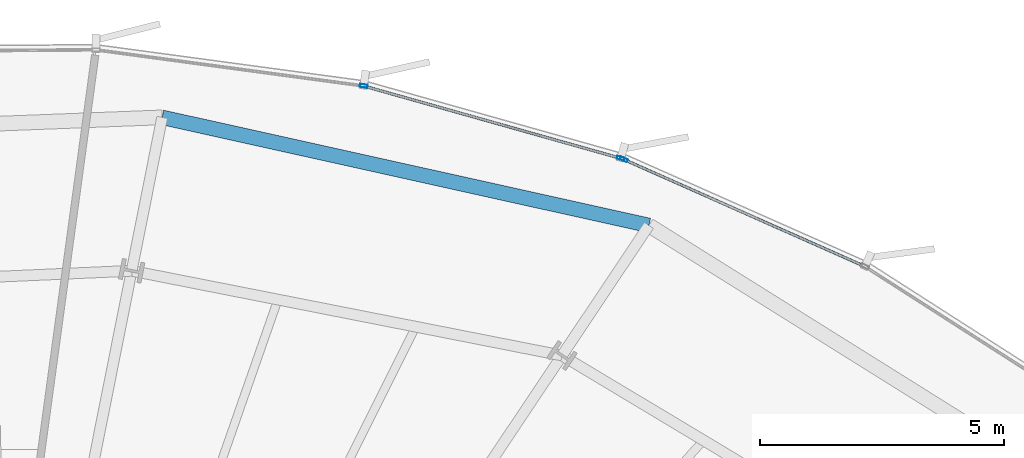
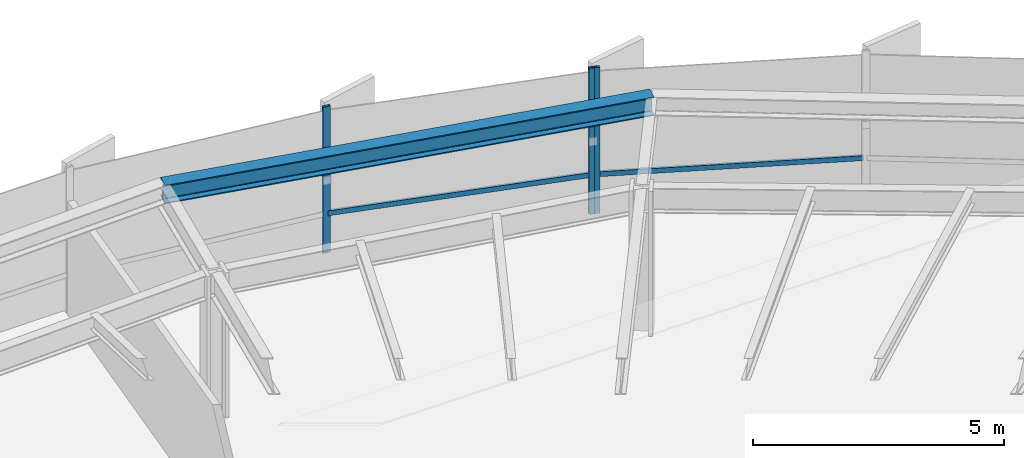
# One storey, part 27 of 37: 5 members, 1 beam, 2 elements without a shape of their own.
"""IFC4 building model written with IfcOpenShell, lengths in metres."""

from ifc_helpers import new_model, si_unit, direction, frame, origin, origin_2d, place, context, subcontext, project, spatial, hollow_rectangle, i_section, extrude, source, transform, mapped, material, layer, layer_set, material_profile, profile_set, type_object, element, aggregate, save


model = new_model("IFC4")

# Units and contexts
model_context = context("Model", 3, precision=1e-05, world=origin(), true_north=direction((0.0, 1.0)))
body_context = subcontext(model_context, "Body", "Model", "MODEL_VIEW")
ifc_project = project(units=[si_unit("LENGTHUNIT", "METRE"), si_unit("AREAUNIT", "SQUARE_METRE"), si_unit("VOLUMEUNIT", "CUBIC_METRE"), si_unit("PLANEANGLEUNIT", "RADIAN"), si_unit("MASSUNIT", "GRAM", prefix="KILO"), si_unit("THERMODYNAMICTEMPERATUREUNIT", "KELVIN")], contexts=[model_context])

# Site, building, storey
site_placement = place(None, origin())
site = spatial("IfcSite", under=ifc_project, at=site_placement, CompositionType="ELEMENT")
building_placement = place(site_placement, origin())
building = spatial("IfcBuilding", under=site, at=building_placement, Name="Kethvar Cultural Tower", CompositionType="ELEMENT")
storey_placement = place(building_placement, frame((0.0, 0.0, 48.60009765625)))
storey = spatial("IfcBuildingStorey", under=building, at=storey_placement, Name="L11", CompositionType="ELEMENT", Elevation=48.60009765625)

# Beam
ifc_material_1 = material(Name="Steel S355J2", Category="steel")
ifc_material_profile_1 = material_profile(ifc_material_1, i_section(OverallWidth=0.300048828125, OverallDepth=0.449951171875, WebThickness=0.013916015625, FlangeThickness=0.02587890625, FilletRadius=0.027099609375, at=origin_2d()), Name="Steel S355J2 — HEB450")
ifc_profile_set_1 = profile_set([ifc_material_profile_1], Name="Steel S355J2 — HEB450")
beam_type = type_object("IfcBeamType", Name="BM-SP450", PredefinedType="SPANDREL", material=ifc_profile_set_1)
shared_shape_1 = source(origin(), body_context, "Body", "SweptSolid", [
    extrude(i_section(OverallWidth=0.300048828125, OverallDepth=0.449951171875, WebThickness=0.013916015625, FlangeThickness=0.02587890625, FilletRadius=0.027099609375, at=origin_2d()), origin(), (0.0, 0.0, 1.0), 10.19873046875),
])
beam_placement = place(storey_placement, frame((61.602783203125, 49.9541015625, 3.322998046875), z_axis=(-0.976234913358, 0.216715006268, 0.0), x_axis=(-0.216715006268, -0.976234913358, 0.0)))
element("IfcBeam", 1, at=beam_placement, inside=storey, type_object=beam_type, Name="L11 Perimeter Spandrel Beam SP-03", PredefinedType="SPANDREL", context=body_context, shape_type="MappedRepresentation", body=[
    mapped(shared_shape_1, transform((0.0, 0.0, 0.0), scale=1.0)),
])

# Curtain wall, member
ifc_material_2 = material(Name="Aluminium 6063-T6", Category="aluminium")
ifc_layer = layer(ifc_material_2, 0.179931640625, Name="Aluminium 6063-T6", Category="aluminium")
ifc_layer_set = layer_set([ifc_layer], Name="Aluminium 6063-T6 (180 mm)")
curtain_wall_type = type_object("IfcCurtainWallType", Name="CW-SYS-02-Z1", PredefinedType="NOTDEFINED", material=ifc_layer_set)
curtain_wall_1_placement = place(storey_placement, origin())
curtain_wall_1 = element("IfcCurtainWall", 2, at=curtain_wall_1_placement, inside=storey, type_object=curtain_wall_type, Name="L11 Curtain Wall Run 01", PredefinedType="NOTDEFINED")
ifc_material_profile_2 = material_profile(ifc_material_2, hollow_rectangle(XDim=0.06494140625, YDim=0.159912109375, WallThickness=0.0048828125, at=origin_2d()), Name="Aluminium 6063-T6 — RHS160x65x5")
ifc_profile_set_2 = profile_set([ifc_material_profile_2], Name="Aluminium 6063-T6 — RHS160x65x5")
member_type_1 = type_object("IfcMemberType", Name="CW-SYS-02-Z1-MUL", PredefinedType="MULLION", material=ifc_profile_set_2)
shared_shape_2 = source(origin(), body_context, "Body", "SweptSolid", [
    extrude(hollow_rectangle(XDim=0.06494140625, YDim=0.159912109375, WallThickness=0.0048828125, at=origin_2d()), origin(), (0.0, 0.0, 1.0), 3.5498046875),
])
member_1_placement = place(storey_placement, frame((61.090087890625, 51.303466796875, 0.0), z_axis=(0.0, 0.0, 1.0), x_axis=(-0.405763805803, -0.913977972328, 0.0)))
member_1 = element("IfcMember", 3, at=member_1_placement, type_object=member_type_1, Name="CW-L11-R01 Mullion 7", PredefinedType="MULLION", context=body_context, shape_type="MappedRepresentation", body=[
    mapped(shared_shape_2, transform((0.0, 0.0, 0.0), scale=1.0)),
])

# Curtain wall, members
curtain_wall_2_placement = place(storey_placement, origin())
curtain_wall_2 = element("IfcCurtainWall", 4, at=curtain_wall_2_placement, inside=storey, type_object=curtain_wall_type, Name="L11 Curtain Wall Run 02", PredefinedType="NOTDEFINED")
member_2_placement = place(storey_placement, frame((61.027099609375, 51.326171875, 0.0), z_axis=(0.0, 0.0, 1.0), x_axis=(-0.270902871149, -0.962606687284, 0.0)))
member_2 = element("IfcMember", 5, at=member_2_placement, type_object=member_type_1, Name="CW-L11-R02 Mullion 1", PredefinedType="MULLION", context=body_context, shape_type="MappedRepresentation", body=[
    mapped(shared_shape_2, transform((0.0, 0.0, 0.0), scale=1.0)),
])
member_3_placement = place(storey_placement, frame((55.768310546875, 52.807373046875, 0.0), z_axis=(0.0, 0.0, 1.0), x_axis=(-0.133501883688, -0.991048559381, 0.0)))
member_3 = element("IfcMember", 6, at=member_3_placement, type_object=member_type_1, Name="CW-L11-R02 Mullion 2", PredefinedType="MULLION", context=body_context, shape_type="MappedRepresentation", body=[
    mapped(shared_shape_2, transform((0.0, 0.0, 0.0), scale=1.0)),
])

# Member
ifc_material_profile_3 = material_profile(ifc_material_2, hollow_rectangle(XDim=0.054931640625, YDim=0.1201171875, WallThickness=0.00390625, at=origin_2d()), Name="Aluminium 6063-T6 — RHS120x55x4")
ifc_profile_set_3 = profile_set([ifc_material_profile_3], Name="Aluminium 6063-T6 — RHS120x55x4")
member_type_2 = type_object("IfcMemberType", Name="CW-SYS-02-Z1-TRN", PredefinedType="USERDEFINED", material=ifc_profile_set_3)
shared_shape_3 = source(origin(), body_context, "Body", "SweptSolid", [
    extrude(hollow_rectangle(XDim=0.054931640625, YDim=0.1201171875, WallThickness=0.00390625, at=origin_2d()), origin(), (0.0, 0.0, 1.0), 5.34521484375),
])
member_4_placement = place(storey_placement, frame((65.979736328125, 49.132568359375, 0.949951171875), z_axis=(-0.913977216408, 0.405765508499, 0.0), x_axis=(-0.405765508499, -0.913977216408, 0.0)))
member_4 = element("IfcMember", 7, at=member_4_placement, type_object=member_type_2, Name="CW-L11-R01 Transom 6", ObjectType="TRANSOM", PredefinedType="USERDEFINED", context=body_context, shape_type="MappedRepresentation", body=[
    mapped(shared_shape_3, transform((0.0, 0.0, 0.0), scale=1.0)),
])

aggregate(curtain_wall_1, [member_1, member_4])

shared_shape_4 = source(origin(), body_context, "Body", "SweptSolid", [
    extrude(hollow_rectangle(XDim=0.054931640625, YDim=0.1201171875, WallThickness=0.00390625, at=origin_2d()), origin(), (0.0, 0.0, 1.0), 5.428955078125),
])
member_5_placement = place(storey_placement, frame((61.022705078125, 51.327392578125, 0.949951171875), z_axis=(-0.962605874355, 0.270905759734, 0.0), x_axis=(-0.270905759734, -0.962605874355, 0.0)))
member_5 = element("IfcMember", 8, at=member_5_placement, type_object=member_type_2, Name="CW-L11-R02 Transom 1", ObjectType="TRANSOM", PredefinedType="USERDEFINED", context=body_context, shape_type="MappedRepresentation", body=[
    mapped(shared_shape_4, transform((0.0, 0.0, 0.0), scale=1.0)),
])

aggregate(curtain_wall_2, [member_2, member_3, member_5])

save(model, "model.ifc")
